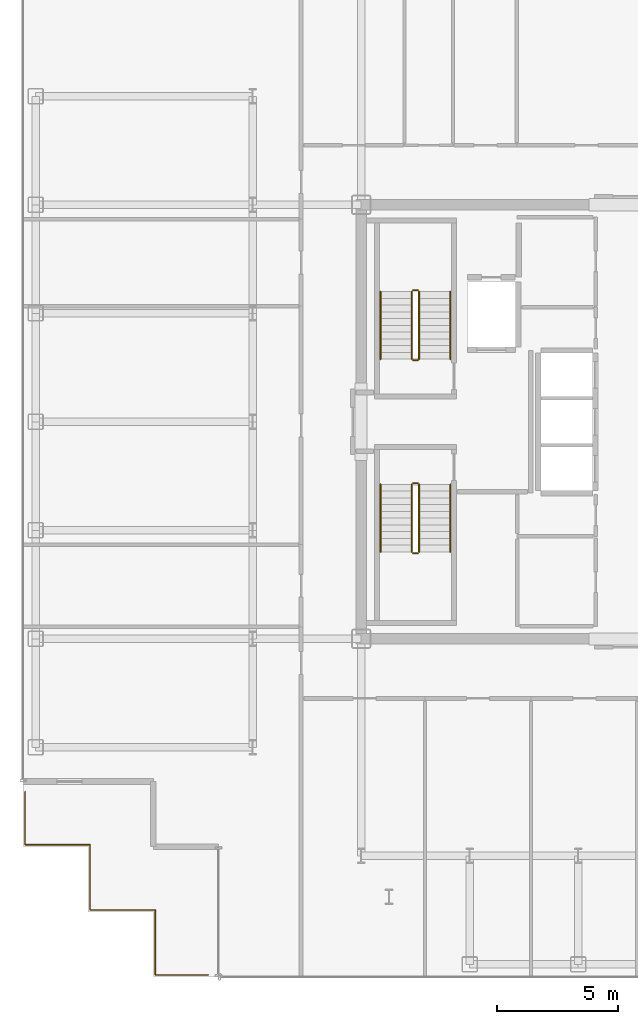
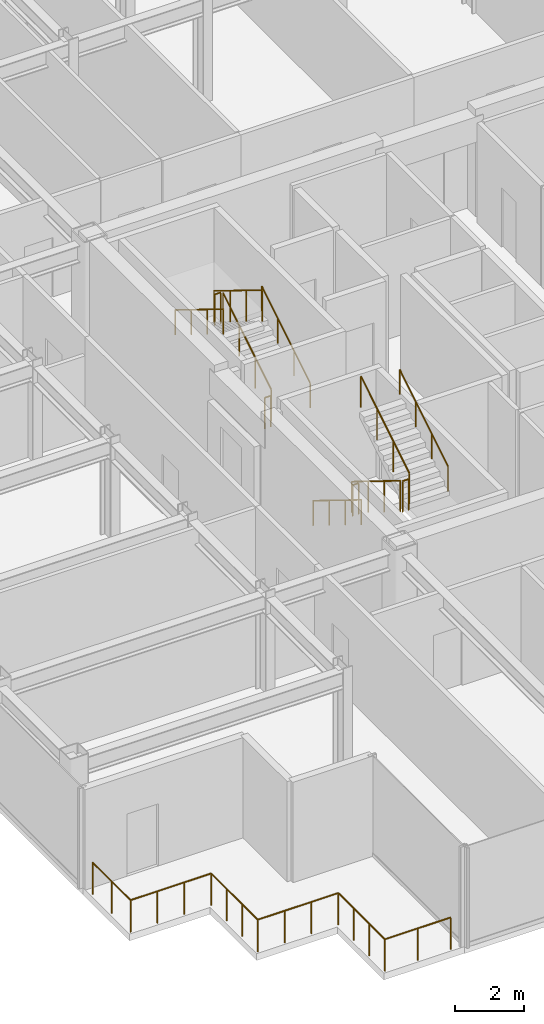
# One storey, part 16 of 17: 13 railings.
"""IFC4 building model written with IfcOpenShell, lengths in metres."""

from ifc_helpers import new_model, si_unit, direction, frame, origin, origin_2d, place, context, subcontext, project, spatial, circle, extrude, material, type_object, element, save


model = new_model("IFC4")

# Units and contexts
model_context = context("Model", 3, precision=1e-05, world=origin(), true_north=direction((0.0, 1.0)))
body_context = subcontext(model_context, "Body", "Model", "MODEL_VIEW")
ifc_project = project(units=[si_unit("LENGTHUNIT", "METRE"), si_unit("AREAUNIT", "SQUARE_METRE"), si_unit("VOLUMEUNIT", "CUBIC_METRE"), si_unit("PLANEANGLEUNIT", "RADIAN"), si_unit("MASSUNIT", "GRAM", prefix="KILO")], contexts=[model_context])

# Site, building, storey
site_placement = place(None, origin())
site = spatial("IfcSite", under=ifc_project, at=site_placement, CompositionType="ELEMENT")
building_placement = place(site_placement, origin())
building = spatial("IfcBuilding", under=site, at=building_placement, Name="Nefas-Gora Pilgrimage Tower", CompositionType="ELEMENT")
storey_placement = place(building_placement, frame((0.0, 0.0, 279.800048828125)))
storey = spatial("IfcBuildingStorey", under=building, at=storey_placement, Name="L70", CompositionType="ELEMENT", Elevation=279.800048828125)

# Railings
ifc_material_1 = material(Name="Painted galvanised steel", Category="steel")
railing_type_1 = type_object("IfcRailingType", Name="RLG-STR-GUARD-1100", PredefinedType="GUARDRAIL", material=ifc_material_1)
railing_1_placement = place(storey_placement, frame((-8.85009765625, 2.60009765625, 0.172607421875)))
element("IfcRailing", 1, at=railing_1_placement, inside=storey, type_object=railing_type_1, Name="L70 ST-01 stair guard 1", PredefinedType="GUARDRAIL", context=body_context, shape_type="SweptSolid", body=[
    extrude(circle(Radius=0.02392578125, at=origin_2d()), frame((0.0, 0.0, 1.09619140625), z_axis=(0.0, 0.851069175582, 0.525053576669), x_axis=(-1.0, 0.0, 0.0)), (0.0, 0.0, 1.0), 3.289794921875),
    extrude(circle(Radius=0.02099609375, at=origin_2d()), origin(), (0.0, 0.0, 1.0), 1.072021484375),
    extrude(circle(Radius=0.02099609375, at=origin_2d()), frame((0.0, 0.933349609375, 0.57568359375)), (0.0, 0.0, 1.0), 1.072021484375),
    extrude(circle(Radius=0.02099609375, at=origin_2d()), frame((0.0, 1.866455078125, 1.151611328125)), (0.0, 0.0, 1.0), 1.072021484375),
    extrude(circle(Radius=0.02099609375, at=origin_2d()), frame((0.0, 2.7998046875, 1.727294921875)), (0.0, 0.0, 1.0), 1.072021484375),
])
railing_2_placement = place(storey_placement, frame((-8.89990234375, 5.449951171875, 1.89990234375)))
element("IfcRailing", 2, at=railing_2_placement, inside=storey, type_object=railing_type_1, Name="L70 ST-01 stair guard 2", PredefinedType="GUARDRAIL", context=body_context, shape_type="SweptSolid", body=[
    extrude(circle(Radius=0.02392578125, at=origin_2d()), frame((0.0, 0.0, 1.09619140625), z_axis=(-1.0, 0.0, 0.0), x_axis=(0.0, -1.0, 0.0)), (0.0, 0.0, 1.0), 0.2001953125),
    extrude(circle(Radius=0.02099609375, at=origin_2d()), origin(), (0.0, 0.0, 1.0), 1.072021484375),
    extrude(circle(Radius=0.02099609375, at=origin_2d()), frame((-0.2001953125, 0.0, 0.0)), (0.0, 0.0, 1.0), 1.072021484375),
])
railing_3_placement = place(storey_placement, frame((-9.14990234375, 5.39990234375, 2.07275390625)))
element("IfcRailing", 3, at=railing_3_placement, inside=storey, type_object=railing_type_1, Name="L70 ST-01 stair guard 3", PredefinedType="GUARDRAIL", context=body_context, shape_type="SweptSolid", body=[
    extrude(circle(Radius=0.02392578125, at=origin_2d()), frame((0.0, 0.0, 1.09619140625), z_axis=(0.0, -0.851069175582, 0.525053576669), x_axis=(1.0, 0.0, 0.0)), (0.0, 0.0, 1.0), 3.289794921875),
    extrude(circle(Radius=0.02099609375, at=origin_2d()), origin(), (0.0, 0.0, 1.0), 1.072021484375),
    extrude(circle(Radius=0.02099609375, at=origin_2d()), frame((0.0, -0.933349609375, 0.57568359375)), (0.0, 0.0, 1.0), 1.072021484375),
    extrude(circle(Radius=0.02099609375, at=origin_2d()), frame((0.0, -1.866455078125, 1.151611328125)), (0.0, 0.0, 1.0), 1.072021484375),
    extrude(circle(Radius=0.02099609375, at=origin_2d()), frame((0.0, -2.7998046875, 1.727294921875)), (0.0, 0.0, 1.0), 1.072021484375),
])
railing_4_placement = place(storey_placement, frame((-8.89990234375, 2.550048828125, 0.0)))
element("IfcRailing", 4, at=railing_4_placement, inside=storey, type_object=railing_type_1, Name="L70 ST-01 stair guard 4", PredefinedType="GUARDRAIL", context=body_context, shape_type="SweptSolid", body=[
    extrude(circle(Radius=0.02392578125, at=origin_2d()), frame((0.0, 0.0, 1.09619140625), z_axis=(-1.0, 0.0, 0.0), x_axis=(0.0, -1.0, 0.0)), (0.0, 0.0, 1.0), 0.2001953125),
    extrude(circle(Radius=0.02099609375, at=origin_2d()), origin(), (0.0, 0.0, 1.0), 1.072021484375),
    extrude(circle(Radius=0.02099609375, at=origin_2d()), frame((-0.2001953125, 0.0, 0.0)), (0.0, 0.0, 1.0), 1.072021484375),
])
railing_5_placement = place(storey_placement, frame((-9.14990234375, -2.60009765625, 0.172607421875)))
element("IfcRailing", 5, at=railing_5_placement, inside=storey, type_object=railing_type_1, Name="L70 ST-03 stair guard 1", PredefinedType="GUARDRAIL", context=body_context, shape_type="SweptSolid", body=[
    extrude(circle(Radius=0.02392578125, at=origin_2d()), frame((0.0, 0.0, 1.09619140625), z_axis=(0.0, -0.851069175582, 0.525053576669), x_axis=(1.0, 0.0, 0.0)), (0.0, 0.0, 1.0), 3.289794921875),
    extrude(circle(Radius=0.02099609375, at=origin_2d()), origin(), (0.0, 0.0, 1.0), 1.072021484375),
    extrude(circle(Radius=0.02099609375, at=origin_2d()), frame((0.0, -0.933349609375, 0.57568359375)), (0.0, 0.0, 1.0), 1.072021484375),
    extrude(circle(Radius=0.02099609375, at=origin_2d()), frame((0.0, -1.866455078125, 1.151611328125)), (0.0, 0.0, 1.0), 1.072021484375),
    extrude(circle(Radius=0.02099609375, at=origin_2d()), frame((0.0, -2.7998046875, 1.727294921875)), (0.0, 0.0, 1.0), 1.072021484375),
])
railing_6_placement = place(storey_placement, frame((-9.10009765625, -5.449951171875, 1.89990234375)))
element("IfcRailing", 6, at=railing_6_placement, inside=storey, type_object=railing_type_1, Name="L70 ST-03 stair guard 2", PredefinedType="GUARDRAIL", context=body_context, shape_type="SweptSolid", body=[
    extrude(circle(Radius=0.02392578125, at=origin_2d()), frame((0.0, 0.0, 1.09619140625), z_axis=(1.0, 0.0, 0.0), x_axis=(0.0, 1.0, 0.0)), (0.0, 0.0, 1.0), 0.2001953125),
    extrude(circle(Radius=0.02099609375, at=origin_2d()), origin(), (0.0, 0.0, 1.0), 1.072021484375),
    extrude(circle(Radius=0.02099609375, at=origin_2d()), frame((0.2001953125, 0.0, 0.0)), (0.0, 0.0, 1.0), 1.072021484375),
])
railing_7_placement = place(storey_placement, frame((-8.85009765625, -5.39990234375, 2.07275390625)))
element("IfcRailing", 7, at=railing_7_placement, inside=storey, type_object=railing_type_1, Name="L70 ST-03 stair guard 3", PredefinedType="GUARDRAIL", context=body_context, shape_type="SweptSolid", body=[
    extrude(circle(Radius=0.02392578125, at=origin_2d()), frame((0.0, 0.0, 1.09619140625), z_axis=(0.0, 0.851069175582, 0.525053576669), x_axis=(-1.0, 0.0, 0.0)), (0.0, 0.0, 1.0), 3.289794921875),
    extrude(circle(Radius=0.02099609375, at=origin_2d()), origin(), (0.0, 0.0, 1.0), 1.072021484375),
    extrude(circle(Radius=0.02099609375, at=origin_2d()), frame((0.0, 0.933349609375, 0.57568359375)), (0.0, 0.0, 1.0), 1.072021484375),
    extrude(circle(Radius=0.02099609375, at=origin_2d()), frame((0.0, 1.866455078125, 1.151611328125)), (0.0, 0.0, 1.0), 1.072021484375),
    extrude(circle(Radius=0.02099609375, at=origin_2d()), frame((0.0, 2.7998046875, 1.727294921875)), (0.0, 0.0, 1.0), 1.072021484375),
])
railing_8_placement = place(storey_placement, frame((-9.10009765625, -2.550048828125, 0.0)))
element("IfcRailing", 8, at=railing_8_placement, inside=storey, type_object=railing_type_1, Name="L70 ST-03 stair guard 4", PredefinedType="GUARDRAIL", context=body_context, shape_type="SweptSolid", body=[
    extrude(circle(Radius=0.02392578125, at=origin_2d()), frame((0.0, 0.0, 1.09619140625), z_axis=(1.0, 0.0, 0.0), x_axis=(0.0, 1.0, 0.0)), (0.0, 0.0, 1.0), 0.2001953125),
    extrude(circle(Radius=0.02099609375, at=origin_2d()), origin(), (0.0, 0.0, 1.0), 1.072021484375),
    extrude(circle(Radius=0.02099609375, at=origin_2d()), frame((0.2001953125, 0.0, 0.0)), (0.0, 0.0, 1.0), 1.072021484375),
])
ifc_material_2 = material(Name="Brushed stainless steel", Category="steel")
railing_type_2 = type_object("IfcRailingType", Name="RLG-STR-HAND-900", PredefinedType="HANDRAIL", material=ifc_material_2)
railing_9_placement = place(storey_placement, frame((-7.550048828125, 2.60009765625, 0.172607421875)))
element("IfcRailing", 9, at=railing_9_placement, inside=storey, type_object=railing_type_2, Name="L70 ST-01 stair handrail 1", PredefinedType="HANDRAIL", context=body_context, shape_type="SweptSolid", body=[
    extrude(circle(Radius=0.02392578125, at=origin_2d()), frame((0.0, 0.0, 0.8759765625), z_axis=(0.0, 0.851069175582, 0.525053576669), x_axis=(-1.0, 0.0, 0.0)), (0.0, 0.0, 1.0), 3.289794921875),
    extrude(circle(Radius=0.02099609375, at=origin_2d()), origin(), (0.0, 0.0, 1.0), 0.851806640625),
    extrude(circle(Radius=0.02099609375, at=origin_2d()), frame((0.0, 0.933349609375, 0.57568359375)), (0.0, 0.0, 1.0), 0.851806640625),
    extrude(circle(Radius=0.02099609375, at=origin_2d()), frame((0.0, 1.866455078125, 1.151611328125)), (0.0, 0.0, 1.0), 0.851806640625),
    extrude(circle(Radius=0.02099609375, at=origin_2d()), frame((0.0, 2.7998046875, 1.727294921875)), (0.0, 0.0, 1.0), 0.851806640625),
])
for number, where, name in (
    (10, (-10.449951171875, 5.39990234375, 2.07275390625), "L70 ST-01 stair handrail 2"),
    (11, (-10.449951171875, -2.60009765625, 0.172607421875), "L70 ST-03 stair handrail 1"),
):
    element("IfcRailing", number, at=place(storey_placement, frame(where)), inside=storey, type_object=railing_type_2, Name=name, PredefinedType="HANDRAIL", context=body_context, shape_type="SweptSolid", body=[
        extrude(circle(Radius=0.02392578125, at=origin_2d()), frame((0.0, 0.0, 0.8759765625), z_axis=(0.0, -0.851069175582, 0.525053576669), x_axis=(1.0, 0.0, 0.0)), (0.0, 0.0, 1.0), 3.289794921875),
        extrude(circle(Radius=0.02099609375, at=origin_2d()), origin(), (0.0, 0.0, 1.0), 0.851806640625),
        extrude(circle(Radius=0.02099609375, at=origin_2d()), frame((0.0, -0.933349609375, 0.57568359375)), (0.0, 0.0, 1.0), 0.851806640625),
        extrude(circle(Radius=0.02099609375, at=origin_2d()), frame((0.0, -1.866455078125, 1.151611328125)), (0.0, 0.0, 1.0), 0.851806640625),
        extrude(circle(Radius=0.02099609375, at=origin_2d()), frame((0.0, -2.7998046875, 1.727294921875)), (0.0, 0.0, 1.0), 0.851806640625),
    ])
railing_10_placement = place(storey_placement, frame((-7.550048828125, -5.39990234375, 2.07275390625)))
element("IfcRailing", 12, at=railing_10_placement, inside=storey, type_object=railing_type_2, Name="L70 ST-03 stair handrail 2", PredefinedType="HANDRAIL", context=body_context, shape_type="SweptSolid", body=[
    extrude(circle(Radius=0.02392578125, at=origin_2d()), frame((0.0, 0.0, 0.8759765625), z_axis=(0.0, 0.851069175582, 0.525053576669), x_axis=(-1.0, 0.0, 0.0)), (0.0, 0.0, 1.0), 3.289794921875),
    extrude(circle(Radius=0.02099609375, at=origin_2d()), origin(), (0.0, 0.0, 1.0), 0.851806640625),
    extrude(circle(Radius=0.02099609375, at=origin_2d()), frame((0.0, 0.933349609375, 0.57568359375)), (0.0, 0.0, 1.0), 0.851806640625),
    extrude(circle(Radius=0.02099609375, at=origin_2d()), frame((0.0, 1.866455078125, 1.151611328125)), (0.0, 0.0, 1.0), 0.851806640625),
    extrude(circle(Radius=0.02099609375, at=origin_2d()), frame((0.0, 2.7998046875, 1.727294921875)), (0.0, 0.0, 1.0), 0.851806640625),
])
ifc_material_3 = material(Name="Laminated safety glass and stainless steel", Category="steel")
railing_type_3 = type_object("IfcRailingType", Name="RLG-TER-1150", PredefinedType="BALUSTRADE", material=ifc_material_3)
railing_11_placement = place(storey_placement, frame((-17.590087890625, -22.93994140625, 0.0)))
element("IfcRailing", 13, at=railing_11_placement, inside=storey, type_object=railing_type_3, Name="L70 Terrace Continuous Balustrade TER-SP-SW.1", PredefinedType="BALUSTRADE", context=body_context, shape_type="SweptSolid", body=[
    extrude(circle(Radius=0.02392578125, at=origin_2d()), frame((0.0, 0.0, 1.1259765625), z_axis=(-1.0, 0.0, 0.0), x_axis=(0.0, -1.0, 0.0)), (0.0, 0.0, 1.0), 2.199951171875),
    extrude(circle(Radius=0.02392578125, at=origin_2d()), frame((-2.199951171875, 0.0, 1.1259765625), z_axis=(0.0, 1.0, 0.0), x_axis=(-1.0, 0.0, 0.0)), (0.0, 0.0, 1.0), 2.699951171875),
    extrude(circle(Radius=0.02392578125, at=origin_2d()), frame((-2.199951171875, 2.699951171875, 1.1259765625), z_axis=(-1.0, 0.0, 0.0), x_axis=(0.0, -1.0, 0.0)), (0.0, 0.0, 1.0), 2.699951171875),
    extrude(circle(Radius=0.02392578125, at=origin_2d()), frame((-4.89990234375, 2.699951171875, 1.1259765625), z_axis=(0.0, 1.0, 0.0), x_axis=(-1.0, 0.0, 0.0)), (0.0, 0.0, 1.0), 2.699951171875),
    extrude(circle(Radius=0.02392578125, at=origin_2d()), frame((-4.89990234375, 5.39990234375, 1.1259765625), z_axis=(-1.0, 0.0, 0.0), x_axis=(0.0, -1.0, 0.0)), (0.0, 0.0, 1.0), 2.699951171875),
    extrude(circle(Radius=0.02392578125, at=origin_2d()), frame((-7.599853515625, 5.39990234375, 1.1259765625), z_axis=(0.0, 1.0, 0.0), x_axis=(-1.0, 0.0, 0.0)), (0.0, 0.0, 1.0), 2.199951171875),
    extrude(circle(Radius=0.02099609375, at=origin_2d()), origin(), (0.0, 0.0, 1.0), 1.101806640625),
    extrude(circle(Radius=0.02099609375, at=origin_2d()), frame((-1.10009765625, 0.0, 0.0)), (0.0, 0.0, 1.0), 1.101806640625),
    extrude(circle(Radius=0.02099609375, at=origin_2d()), frame((-2.199951171875, 0.0, 0.0)), (0.0, 0.0, 1.0), 1.101806640625),
    extrude(circle(Radius=0.02099609375, at=origin_2d()), frame((-2.199951171875, 0.89990234375, 0.0)), (0.0, 0.0, 1.0), 1.101806640625),
    extrude(circle(Radius=0.02099609375, at=origin_2d()), frame((-2.199951171875, 1.800048828125, 0.0)), (0.0, 0.0, 1.0), 1.101806640625),
    extrude(circle(Radius=0.02099609375, at=origin_2d()), frame((-2.199951171875, 2.699951171875, 0.0)), (0.0, 0.0, 1.0), 1.101806640625),
    extrude(circle(Radius=0.02099609375, at=origin_2d()), frame((-3.099853515625, 2.699951171875, 0.0)), (0.0, 0.0, 1.0), 1.101806640625),
    extrude(circle(Radius=0.02099609375, at=origin_2d()), frame((-4.0, 2.699951171875, 0.0)), (0.0, 0.0, 1.0), 1.101806640625),
    extrude(circle(Radius=0.02099609375, at=origin_2d()), frame((-4.89990234375, 2.699951171875, 0.0)), (0.0, 0.0, 1.0), 1.101806640625),
    extrude(circle(Radius=0.02099609375, at=origin_2d()), frame((-4.89990234375, 3.599853515625, 0.0)), (0.0, 0.0, 1.0), 1.101806640625),
    extrude(circle(Radius=0.02099609375, at=origin_2d()), frame((-4.89990234375, 4.5, 0.0)), (0.0, 0.0, 1.0), 1.101806640625),
    extrude(circle(Radius=0.02099609375, at=origin_2d()), frame((-4.89990234375, 5.39990234375, 0.0)), (0.0, 0.0, 1.0), 1.101806640625),
    extrude(circle(Radius=0.02099609375, at=origin_2d()), frame((-5.7998046875, 5.39990234375, 0.0)), (0.0, 0.0, 1.0), 1.101806640625),
    extrude(circle(Radius=0.02099609375, at=origin_2d()), frame((-6.699951171875, 5.39990234375, 0.0)), (0.0, 0.0, 1.0), 1.101806640625),
    extrude(circle(Radius=0.02099609375, at=origin_2d()), frame((-7.599853515625, 5.39990234375, 0.0)), (0.0, 0.0, 1.0), 1.101806640625),
    extrude(circle(Radius=0.02099609375, at=origin_2d()), frame((-7.599853515625, 6.5, 0.0)), (0.0, 0.0, 1.0), 1.101806640625),
    extrude(circle(Radius=0.02099609375, at=origin_2d()), frame((-7.599853515625, 7.599853515625, 0.0)), (0.0, 0.0, 1.0), 1.101806640625),
])

save(model, "model.ifc")
